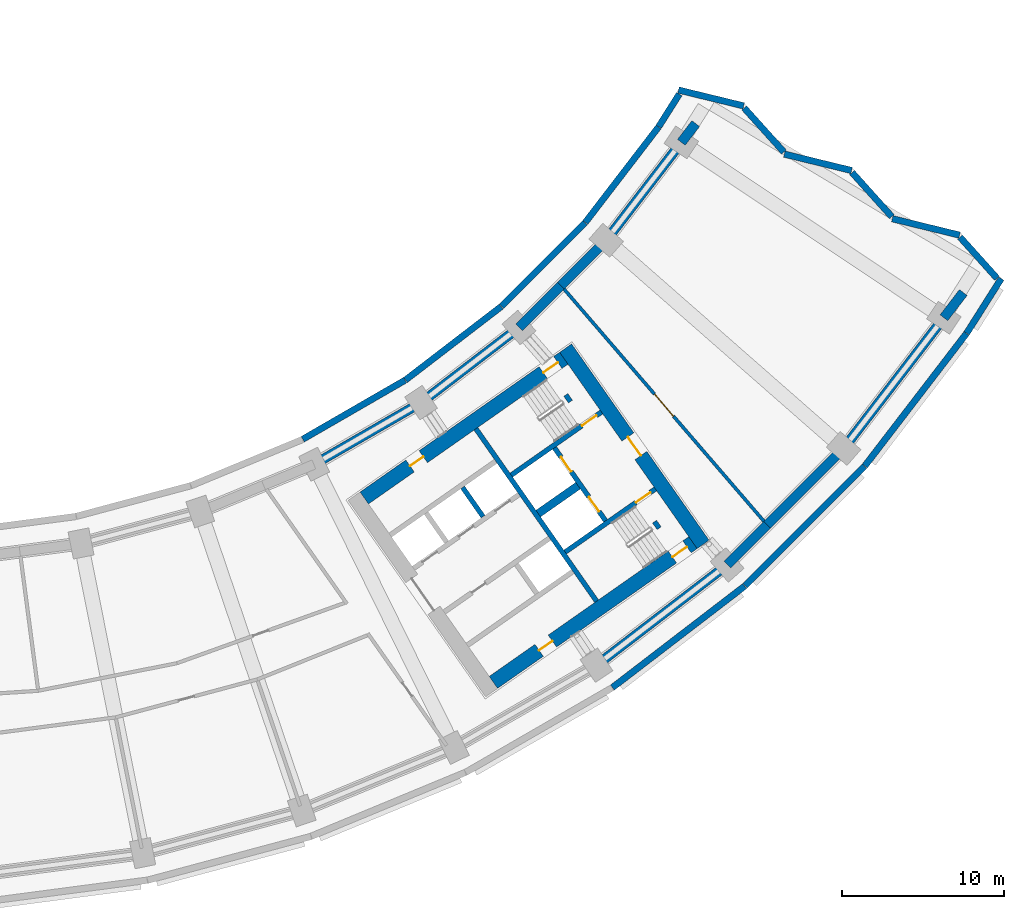
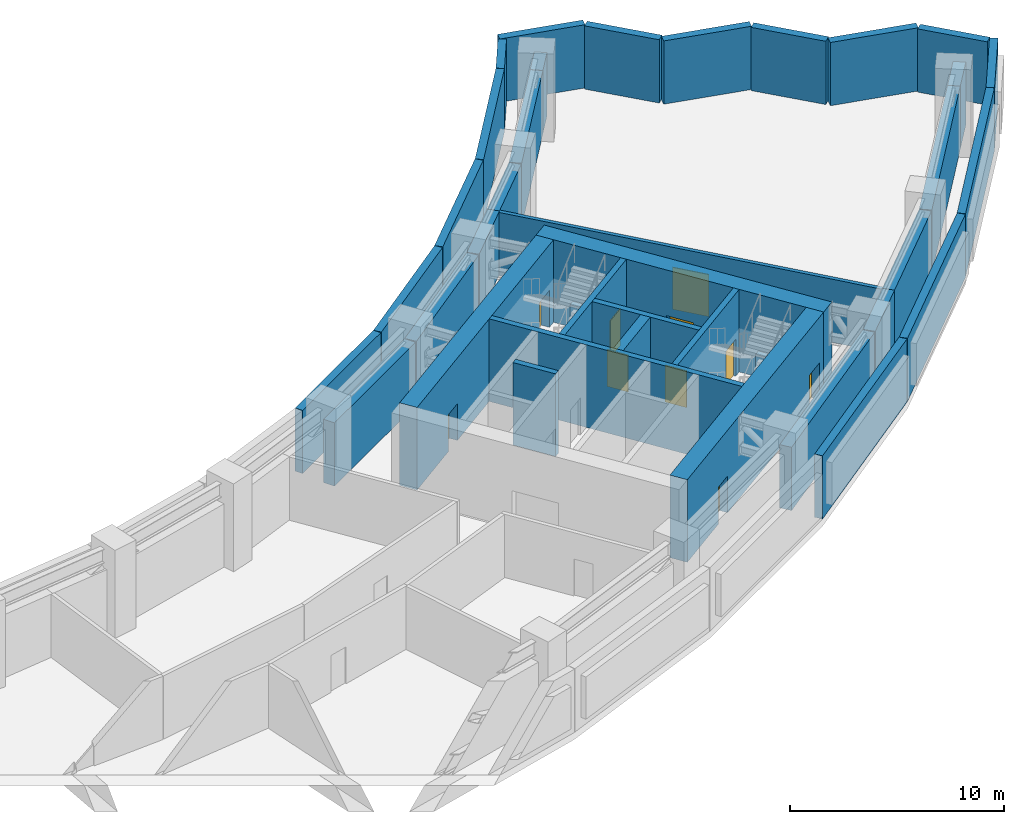
# One storey, part 8 of 25: 38 walls, 10 doors, 10 openings.
"""IFC4 building model written with IfcOpenShell, lengths in metres."""

from ifc_helpers import new_model, si_unit, direction, frame, frame_2d, origin, place, context, subcontext, project, spatial, rectangle, extrude, material, layer, layer_set, type_object, element, fill, save


model = new_model("IFC4")

# Units and contexts
model_context = context("Model", 3, precision=1e-05, world=origin(), true_north=direction((0.0, 1.0)))
body_context = subcontext(model_context, "Body", "Model", "MODEL_VIEW")
ifc_project = project(units=[si_unit("LENGTHUNIT", "METRE"), si_unit("AREAUNIT", "SQUARE_METRE"), si_unit("VOLUMEUNIT", "CUBIC_METRE"), si_unit("PLANEANGLEUNIT", "RADIAN"), si_unit("MASSUNIT", "GRAM", prefix="KILO")], contexts=[model_context])

# Site, building, storey
site_placement = place(None, origin())
site = spatial("IfcSite", under=ifc_project, at=site_placement, CompositionType="ELEMENT")
building_placement = place(site_placement, origin())
building = spatial("IfcBuilding", under=site, at=building_placement, Name="Qamariyya Broadcast Tower", CompositionType="ELEMENT")
storey_placement = place(building_placement, frame((0.0, 0.0, 89.89990234375)))
storey = spatial("IfcBuildingStorey", under=building, at=storey_placement, Name="L19", CompositionType="ELEMENT", Elevation=89.89990234375)

# Wall, opening, door
ifc_material_1 = material(Name="Concrete C70/85", Category="concrete")
ifc_layer_1 = layer(ifc_material_1, 0.89990234375)
ifc_layer_set_1 = layer_set([ifc_layer_1], Name="Core wall 900 mm Concrete C70/85")
wall_type_1 = type_object("IfcWallType", Name="Core wall 900 mm Concrete C70/85", PredefinedType="SHEAR", material=ifc_layer_set_1)
wall_1_placement = place(storey_placement, frame((49.778564453125, -57.191162109375, 0.0), z_axis=(0.0, 0.0, 1.0), x_axis=(-0.573577477574, 0.819151315216, 0.0)))
wall_1 = element("IfcWall", 1, at=wall_1_placement, inside=storey, type_object=wall_type_1, Name="k-E-L19-WH", PredefinedType="SHEAR", context=body_context, shape_type="SweptSolid", body=[
    extrude(rectangle(XDim=14.800048828125, YDim=0.89990234375, at=frame_2d((7.39990234375, 0.0))), origin(), (0.0, 0.0, 1.0), 4.7001953125),
])
opening_1_placement = place(wall_1_placement, frame((6.699951171875, 0.0, 0.0)))
opening_1 = element("IfcOpeningElement", 2, at=opening_1_placement, cuts=wall_1, Name="Opening KD2-E1", PredefinedType="OPENING", context=body_context, shape_type="SweptSolid", body=[
    extrude(rectangle(XDim=1.39990234375, YDim=2.10009765625, at=frame_2d((0.699951171875, 1.050048828125))), frame((0.0, 0.4599609375, 0.0), z_axis=(0.0, -1.0, 0.0), x_axis=(1.0, 0.0, 0.0)), (0.0, 0.0, 1.0), 0.919921875),
])
ifc_material_2 = material(Name="Steel fire-resisting door leaf", Category="steel")
door_type_1 = type_object("IfcDoorType", Name="Fire-fighting lobby door KD2", OperationType="DOUBLE_DOOR_SINGLE_SWING", PredefinedType="DOOR", material=ifc_material_2)
door_1_placement = place(opening_1_placement, origin())
door_1 = element("IfcDoor", 3, at=door_1_placement, inside=storey, type_object=door_type_1, Name="k-E-L19-WH-D10", OperationType="DOUBLE_DOOR_SINGLE_SWING", OverallHeight=2.10009765625, OverallWidth=1.39990234375, PredefinedType="DOOR", context=body_context, shape_type="SweptSolid", body=[
    extrude(rectangle(XDim=1.39990234375, YDim=2.10009765625, at=frame_2d((0.699951171875, 1.050048828125))), frame((0.0, 0.02490234375, 0.0), z_axis=(0.0, -1.0, 0.0), x_axis=(1.0, 0.0, 0.0)), (0.0, 0.0, 1.0), 0.050048828125),
])
fill(opening_1, door_1)

# Wall, openings, doors
wall_2_placement = place(storey_placement, frame((28.8544921875, -54.32421875, 0.0), z_axis=(0.0, 0.0, 1.0), x_axis=(0.819145767589, 0.573585400304, 0.0)))
wall_2 = element("IfcWall", 4, at=wall_2_placement, inside=storey, type_object=wall_type_1, Name="k-E-L19-WI", PredefinedType="SHEAR", context=body_context, shape_type="SweptSolid", body=[
    extrude(rectangle(XDim=15.04541015625, YDim=0.89990234375, at=frame_2d((7.522705078125, 0.0))), origin(), (0.0, 0.0, 1.0), 4.7001953125),
])
opening_2_placement = place(wall_2_placement, frame((3.449951171875, 0.0, 0.0)))
opening_2 = element("IfcOpeningElement", 5, at=opening_2_placement, cuts=wall_2, Name="Opening KD4-E2", PredefinedType="OPENING", context=body_context, shape_type="SweptSolid", body=[
    extrude(rectangle(XDim=1.0, YDim=2.10009765625, at=frame_2d((0.5, 1.050048828125))), frame((0.0, 0.4599609375, 0.0), z_axis=(0.0, -1.0, 0.0), x_axis=(1.0, 0.0, 0.0)), (0.0, 0.0, 1.0), 0.919921875),
])
opening_3_placement = place(wall_2_placement, frame((13.495361328125, 0.0, 0.0)))
opening_3 = element("IfcOpeningElement", 6, at=opening_3_placement, cuts=wall_2, Name="Opening KD1-E1", PredefinedType="OPENING", context=body_context, shape_type="SweptSolid", body=[
    extrude(rectangle(XDim=1.10009765625, YDim=2.10009765625, at=frame_2d((0.550048828125, 1.050048828125))), frame((0.0, 0.4599609375, 0.0), z_axis=(0.0, -1.0, 0.0), x_axis=(1.0, 0.0, 0.0)), (0.0, 0.0, 1.0), 0.919921875),
])
door_type_2 = type_object("IfcDoorType", Name="Riser and plant door KD4", OperationType="SINGLE_SWING_LEFT", PredefinedType="DOOR", material=ifc_material_2)
door_2_placement = place(opening_2_placement, origin())
door_2 = element("IfcDoor", 7, at=door_2_placement, inside=storey, type_object=door_type_2, Name="k-E-L19-WI-D6", OperationType="SINGLE_SWING_RIGHT", OverallHeight=2.10009765625, OverallWidth=1.0, PredefinedType="DOOR", context=body_context, shape_type="SweptSolid", body=[
    extrude(rectangle(XDim=1.0, YDim=2.10009765625, at=frame_2d((0.5, 1.050048828125))), frame((0.0, 0.02490234375, 0.0), z_axis=(0.0, -1.0, 0.0), x_axis=(1.0, 0.0, 0.0)), (0.0, 0.0, 1.0), 0.050048828125),
])
fill(opening_2, door_2)
door_type_3 = type_object("IfcDoorType", Name="Stair door KD1", OperationType="SINGLE_SWING_LEFT", PredefinedType="DOOR", material=ifc_material_2)
door_3_placement = place(opening_3_placement, origin())
door_3 = element("IfcDoor", 8, at=door_3_placement, inside=storey, type_object=door_type_3, Name="k-E-L19-WI-D11", OperationType="SINGLE_SWING_RIGHT", OverallHeight=2.10009765625, OverallWidth=1.10009765625, PredefinedType="DOOR", context=body_context, shape_type="SweptSolid", body=[
    extrude(rectangle(XDim=1.10009765625, YDim=2.10009765625, at=frame_2d((0.550048828125, 1.050048828125))), frame((0.0, 0.02490234375, 0.0), z_axis=(0.0, -1.0, 0.0), x_axis=(1.0, 0.0, 0.0)), (0.0, 0.0, 1.0), 0.050048828125),
])
fill(opening_3, door_3)

wall_3_placement = place(storey_placement, frame((36.827392578125, -65.710205078125, 0.0), z_axis=(0.0, 0.0, 1.0), x_axis=(0.819153391756, 0.573574511963, 0.0)))
wall_3 = element("IfcWall", 9, at=wall_3_placement, inside=storey, type_object=wall_type_1, Name="k-E-L19-WO", PredefinedType="SHEAR", context=body_context, shape_type="SweptSolid", body=[
    extrude(rectangle(XDim=15.04541015625, YDim=0.89990234375, at=frame_2d((7.522705078125, 0.0))), origin(), (0.0, 0.0, 1.0), 4.7001953125),
])
opening_4_placement = place(wall_3_placement, frame((3.449951171875, 0.0, 0.0)))
opening_4 = element("IfcOpeningElement", 10, at=opening_4_placement, cuts=wall_3, Name="Opening KD4-E3", PredefinedType="OPENING", context=body_context, shape_type="SweptSolid", body=[
    extrude(rectangle(XDim=1.0, YDim=2.10009765625, at=frame_2d((0.5, 1.050048828125))), frame((0.0, 0.4599609375, 0.0), z_axis=(0.0, -1.0, 0.0), x_axis=(1.0, 0.0, 0.0)), (0.0, 0.0, 1.0), 0.919921875),
])
opening_5_placement = place(wall_3_placement, frame((13.495361328125, 0.0, 0.0)))
opening_5 = element("IfcOpeningElement", 11, at=opening_5_placement, cuts=wall_3, Name="Opening KD1-E3", PredefinedType="OPENING", context=body_context, shape_type="SweptSolid", body=[
    extrude(rectangle(XDim=1.10009765625, YDim=2.10009765625, at=frame_2d((0.550048828125, 1.050048828125))), frame((0.0, 0.4599609375, 0.0), z_axis=(0.0, -1.0, 0.0), x_axis=(1.0, 0.0, 0.0)), (0.0, 0.0, 1.0), 0.919921875),
])
door_4_placement = place(opening_4_placement, origin())
door_4 = element("IfcDoor", 12, at=door_4_placement, inside=storey, type_object=door_type_2, Name="k-E-L19-WO-D7", OperationType="SINGLE_SWING_LEFT", OverallHeight=2.10009765625, OverallWidth=1.0, PredefinedType="DOOR", context=body_context, shape_type="SweptSolid", body=[
    extrude(rectangle(XDim=1.0, YDim=2.10009765625, at=frame_2d((0.5, 1.050048828125))), frame((0.0, 0.02490234375, 0.0), z_axis=(0.0, -1.0, 0.0), x_axis=(1.0, 0.0, 0.0)), (0.0, 0.0, 1.0), 0.050048828125),
])
fill(opening_4, door_4)
door_5_placement = place(opening_5_placement, origin())
door_5 = element("IfcDoor", 13, at=door_5_placement, inside=storey, type_object=door_type_3, Name="k-E-L19-WO-D13", OperationType="SINGLE_SWING_LEFT", OverallHeight=2.10009765625, OverallWidth=1.10009765625, PredefinedType="DOOR", context=body_context, shape_type="SweptSolid", body=[
    extrude(rectangle(XDim=1.10009765625, YDim=2.10009765625, at=frame_2d((0.550048828125, 1.050048828125))), frame((0.0, 0.02490234375, 0.0), z_axis=(0.0, -1.0, 0.0), x_axis=(1.0, 0.0, 0.0)), (0.0, 0.0, 1.0), 0.050048828125),
])
fill(opening_5, door_5)

# Walls
ifc_material_3 = material(Name="Concrete C60/75", Category="concrete")
ifc_layer_2 = layer(ifc_material_3, 0.5)
ifc_layer_set_2 = layer_set([ifc_layer_2], Name="Fire-fighting lobby divider wall 500 mm Concrete C60/75")
wall_type_2 = type_object("IfcWallType", Name="Fire-fighting lobby divider wall 500 mm Concrete C60/75", PredefinedType="SOLIDWALL", material=ifc_layer_set_2)
wall_4_placement = place(storey_placement, frame((39.59912109375, -55.28515625, 0.0), z_axis=(0.0, 0.0, 1.0), x_axis=(0.819136323161, 0.573598887793, 0.0)))
element("IfcWall", 14, at=wall_4_placement, inside=storey, type_object=wall_type_2, Name="k-E-L19-FD", PredefinedType="SOLIDWALL", context=body_context, shape_type="SweptSolid", body=[
    extrude(rectangle(XDim=2.999755859375, YDim=0.5, at=frame_2d((1.5, 0.0))), origin(), (0.0, 0.0, 1.0), 4.7001953125),
])
ifc_layer_3 = layer(ifc_material_3, 0.300048828125)
ifc_layer_set_3 = layer_set([ifc_layer_3], Name="Lift shaft wall 300 mm Concrete C60/75")
wall_type_3 = type_object("IfcWallType", Name="Lift shaft wall 300 mm Concrete C60/75", PredefinedType="SOLIDWALL", material=ifc_layer_set_3)
wall_5_placement = place(storey_placement, frame((43.204345703125, -60.69580078125, 0.0), z_axis=(0.0, 0.0, 1.0), x_axis=(-0.573571992966, 0.819155155563, 0.0)))
element("IfcWall", 15, at=wall_5_placement, inside=storey, type_object=wall_type_3, Name="k-E-L19-WL", PredefinedType="SOLIDWALL", context=body_context, shape_type="SweptSolid", body=[
    extrude(rectangle(XDim=13.000244140625, YDim=0.300048828125, at=frame_2d((6.5, 0.0))), origin(), (0.0, 0.0, 1.0), 4.7001953125),
])
wall_6_placement = place(storey_placement, frame((36.19091796875, -55.47412109375, 0.0), z_axis=(0.0, 0.0, 1.0), x_axis=(-0.573507030513, 0.819200638399, 0.0)))
element("IfcWall", 16, at=wall_6_placement, inside=storey, type_object=wall_type_3, Name="k-E-L19-ND1", PredefinedType="SOLIDWALL", context=body_context, shape_type="SweptSolid", body=[
    extrude(rectangle(XDim=2.199951171875, YDim=0.300048828125, at=frame_2d((1.10009765625, 0.0))), origin(), (0.0, 0.0, 1.0), 4.7001953125),
])

# Wall, opening, door
wall_7_placement = place(storey_placement, frame((37.935546875, -52.90966796875, 0.0), z_axis=(0.0, 0.0, 1.0), x_axis=(0.819147518138, 0.57358290031, 0.0)))
wall_7 = element("IfcWall", 17, at=wall_7_placement, inside=storey, type_object=wall_type_3, Name="k-E-L19-NW", PredefinedType="SOLIDWALL", context=body_context, shape_type="SweptSolid", body=[
    extrude(rectangle(XDim=6.79541015625, YDim=0.300048828125, at=frame_2d((3.397705078125, 0.0))), origin(), (0.0, 0.0, 1.0), 4.7001953125),
])
opening_6_placement = place(wall_7_placement, frame((5.3203125, 0.0, 0.0)))
opening_6 = element("IfcOpeningElement", 18, at=opening_6_placement, cuts=wall_7, Name="Opening KD1-E2", PredefinedType="OPENING", context=body_context, shape_type="SweptSolid", body=[
    extrude(rectangle(XDim=1.10009765625, YDim=2.10009765625, at=frame_2d((0.550048828125, 1.050048828125))), frame((0.0, 0.159912109375, 0.0), z_axis=(0.0, -1.0, 0.0), x_axis=(1.0, 0.0, 0.0)), (0.0, 0.0, 1.0), 0.320068359375),
])
door_6_placement = place(opening_6_placement, origin())
door_6 = element("IfcDoor", 19, at=door_6_placement, inside=storey, type_object=door_type_3, Name="k-E-L19-NW-D12", OperationType="SINGLE_SWING_RIGHT", OverallHeight=2.10009765625, OverallWidth=1.10009765625, PredefinedType="DOOR", context=body_context, shape_type="SweptSolid", body=[
    extrude(rectangle(XDim=1.10009765625, YDim=2.10009765625, at=frame_2d((0.550048828125, 1.050048828125))), frame((0.0, 0.02490234375, 0.0), z_axis=(0.0, -1.0, 0.0), x_axis=(1.0, 0.0, 0.0)), (0.0, 0.0, 1.0), 0.050048828125),
])
fill(opening_6, door_6)

wall_8_placement = place(storey_placement, frame((41.262451171875, -57.66064453125, 0.0), z_axis=(0.0, 0.0, 1.0), x_axis=(0.819164398642, 0.573558792102, 0.0)))
wall_8 = element("IfcWall", 20, at=wall_8_placement, inside=storey, type_object=wall_type_3, Name="k-E-L19-SW", PredefinedType="SOLIDWALL", context=body_context, shape_type="SweptSolid", body=[
    extrude(rectangle(XDim=6.795166015625, YDim=0.300048828125, at=frame_2d((3.3974609375, 0.0))), origin(), (0.0, 0.0, 1.0), 4.7001953125),
])
opening_7_placement = place(wall_8_placement, frame((5.3203125, 0.0, 0.0)))
opening_7 = element("IfcOpeningElement", 21, at=opening_7_placement, cuts=wall_8, Name="Opening KD1-E4", PredefinedType="OPENING", context=body_context, shape_type="SweptSolid", body=[
    extrude(rectangle(XDim=1.10009765625, YDim=2.10009765625, at=frame_2d((0.550048828125, 1.050048828125))), frame((0.0, 0.159912109375, 0.0), z_axis=(0.0, -1.0, 0.0), x_axis=(1.0, 0.0, 0.0)), (0.0, 0.0, 1.0), 0.320068359375),
])
door_7_placement = place(opening_7_placement, origin())
door_7 = element("IfcDoor", 22, at=door_7_placement, inside=storey, type_object=door_type_3, Name="k-E-L19-SW-D14", OperationType="SINGLE_SWING_RIGHT", OverallHeight=2.10009765625, OverallWidth=1.10009765625, PredefinedType="DOOR", context=body_context, shape_type="SweptSolid", body=[
    extrude(rectangle(XDim=1.10009765625, YDim=2.10009765625, at=frame_2d((0.550048828125, 1.050048828125))), frame((0.0, 0.02490234375, 0.0), z_axis=(0.0, -1.0, 0.0), x_axis=(1.0, 0.0, 0.0)), (0.0, 0.0, 1.0), 0.050048828125),
])
fill(opening_7, door_7)

# Wall, openings, doors
wall_9_placement = place(storey_placement, frame((43.756591796875, -55.731201171875, 0.0), z_axis=(0.0, 0.0, 1.0), x_axis=(-0.573536818435, 0.819179783625, 0.0)))
wall_9 = element("IfcWall", 23, at=wall_9_placement, inside=storey, type_object=wall_type_3, Name="k-E-L19-FF", PredefinedType="SOLIDWALL", context=body_context, shape_type="SweptSolid", body=[
    extrude(rectangle(XDim=5.500244140625, YDim=0.300048828125, at=frame_2d((2.75, 0.0))), origin(), (0.0, 0.0, 1.0), 4.7001953125),
])
opening_8_placement = place(wall_9_placement, frame((0.699951171875, 0.0, 0.0)))
opening_8 = element("IfcOpeningElement", 24, at=opening_8_placement, cuts=wall_9, Name="Opening LD", PredefinedType="OPENING", context=body_context, shape_type="SweptSolid", body=[
    extrude(rectangle(XDim=1.10009765625, YDim=2.10009765625, at=frame_2d((0.550048828125, 1.050048828125))), frame((0.0, 0.159912109375, 0.0), z_axis=(0.0, -1.0, 0.0), x_axis=(1.0, 0.0, 0.0)), (0.0, 0.0, 1.0), 0.320068359375),
])
opening_9_placement = place(wall_9_placement, frame((3.699951171875, 0.0, 0.0)))
opening_9 = element("IfcOpeningElement", 25, at=opening_9_placement, cuts=wall_9, Name="Opening LD", PredefinedType="OPENING", context=body_context, shape_type="SweptSolid", body=[
    extrude(rectangle(XDim=1.10009765625, YDim=2.10009765625, at=frame_2d((0.550048828125, 1.050048828125))), frame((0.0, 0.159912109375, 0.0), z_axis=(0.0, -1.0, 0.0), x_axis=(1.0, 0.0, 0.0)), (0.0, 0.0, 1.0), 0.320068359375),
])
door_type_4 = type_object("IfcDoorType", Name="Lift landing door LD", OperationType="DOUBLE_DOOR_SLIDING", PredefinedType="DOOR", material=ifc_material_2)
door_8_placement = place(opening_8_placement, origin())
door_8 = element("IfcDoor", 26, at=door_8_placement, inside=storey, type_object=door_type_4, Name="k-E-L19-FF-D8", OperationType="DOUBLE_DOOR_SLIDING", OverallHeight=2.10009765625, OverallWidth=1.10009765625, PredefinedType="DOOR", context=body_context, shape_type="SweptSolid", body=[
    extrude(rectangle(XDim=1.10009765625, YDim=2.10009765625, at=frame_2d((0.550048828125, 1.050048828125))), frame((0.0, 0.02490234375, 0.0), z_axis=(0.0, -1.0, 0.0), x_axis=(1.0, 0.0, 0.0)), (0.0, 0.0, 1.0), 0.050048828125),
])
fill(opening_8, door_8)
door_9_placement = place(opening_9_placement, origin())
door_9 = element("IfcDoor", 27, at=door_9_placement, inside=storey, type_object=door_type_4, Name="k-E-L19-FF-D9", OperationType="DOUBLE_DOOR_SLIDING", OverallHeight=2.10009765625, OverallWidth=1.10009765625, PredefinedType="DOOR", context=body_context, shape_type="SweptSolid", body=[
    extrude(rectangle(XDim=1.10009765625, YDim=2.10009765625, at=frame_2d((0.550048828125, 1.050048828125))), frame((0.0, 0.02490234375, 0.0), z_axis=(0.0, -1.0, 0.0), x_axis=(1.0, 0.0, 0.0)), (0.0, 0.0, 1.0), 0.050048828125),
])
fill(opening_9, door_9)

# Walls
wall_10_placement = place(storey_placement, frame((41.30029296875, -47.959716796875, 0.0), z_axis=(0.0, 0.0, 1.0), x_axis=(0.573495128918, -0.819208970354, 0.0)))
element("IfcWall", 28, at=wall_10_placement, inside=storey, type_object=wall_type_3, Name="k-E-L19-E2PR", PredefinedType="SOLIDWALL", context=body_context, shape_type="SweptSolid", body=[
    extrude(rectangle(XDim=0.499755859375, YDim=0.300048828125, at=frame_2d((0.25, 0.0))), origin(), (0.0, 0.0, 1.0), 2.300048828125),
])
wall_11_placement = place(storey_placement, frame((46.77783203125, -55.782470703125, 0.0), z_axis=(0.0, 0.0, 1.0), x_axis=(0.573822822947, -0.818979467304, 0.0)))
element("IfcWall", 29, at=wall_11_placement, inside=storey, type_object=wall_type_3, Name="k-E-L19-E1PR", PredefinedType="SOLIDWALL", context=body_context, shape_type="SweptSolid", body=[
    extrude(rectangle(XDim=0.5, YDim=0.300048828125, at=frame_2d((0.25, 0.0))), origin(), (0.0, 0.0, 1.0), 2.300048828125),
])

# Wall, opening, door
ifc_material_4 = material(Name="Masonry block wall", Category="masonry")
ifc_layer_4 = layer(ifc_material_4, 0.199951171875)
ifc_layer_set_4 = layer_set([ifc_layer_4], Name="Plant room wall 200 EI 120")
wall_type_4 = type_object("IfcWallType", Name="Plant room wall 200 EI 120", PredefinedType="PARTITIONING", material=ifc_layer_set_4)
wall_12_placement = place(storey_placement, frame((41.1962890625, -41.42822265625, 0.0), z_axis=(0.0, 0.0, 1.0), x_axis=(0.652481130337, -0.757804971318, 0.0)))
wall_12 = element("IfcWall", 30, at=wall_12_placement, inside=storey, type_object=wall_type_4, Name="Partition L19-064", PredefinedType="PARTITIONING", context=body_context, shape_type="SweptSolid", body=[
    extrude(rectangle(XDim=18.91259765625, YDim=0.199951171875, at=frame_2d((9.456298828125, 0.0))), origin(), (0.0, 0.0, 1.0), 3.60009765625),
])
opening_10_placement = place(wall_12_placement, frame((8.55615234375, 0.0, 0.0)))
opening_10 = element("IfcOpeningElement", 31, at=opening_10_placement, cuts=wall_12, Name="Opening L19-D12", PredefinedType="OPENING", context=body_context, shape_type="SweptSolid", body=[
    extrude(rectangle(XDim=1.800048828125, YDim=2.39990234375, at=frame_2d((0.89990234375, 1.199951171875))), frame((0.0, 0.10986328125, 0.0), z_axis=(0.0, -1.0, 0.0), x_axis=(1.0, 0.0, 0.0)), (0.0, 0.0, 1.0), 0.219970703125),
])
ifc_material_5 = material(Name="Insulated metal door leaf")
door_type_5 = type_object("IfcDoorType", Name="Plant double door 1800 x 2400 FD120", OperationType="NOTDEFINED", PredefinedType="DOOR", material=ifc_material_5)
door_10_placement = place(opening_10_placement, origin())
door_10 = element("IfcDoor", 32, at=door_10_placement, inside=storey, type_object=door_type_5, Name="Door L19-D12", OperationType="DOUBLE_DOOR_SINGLE_SWING", OverallHeight=2.39990234375, OverallWidth=1.800048828125, PredefinedType="DOOR", context=body_context, shape_type="SweptSolid", body=[
    extrude(rectangle(XDim=1.800048828125, YDim=2.39990234375, at=frame_2d((0.89990234375, 1.199951171875))), frame((0.0, 0.02490234375, 0.0), z_axis=(0.0, -1.0, 0.0), x_axis=(1.0, 0.0, 0.0)), (0.0, 0.0, 1.0), 0.050048828125),
])
fill(opening_10, door_10)

# Walls
ifc_material_6 = material(Name="Terracotta", Category="masonry")
ifc_layer_5 = layer(ifc_material_6, 0.39990234375)
ifc_layer_set_5 = layer_set([ifc_layer_5], Name="Terracotta clad plant wall 400")
wall_type_5 = type_object("IfcWallType", Name="Terracotta clad plant wall 400", PredefinedType="SOLIDWALL", material=ifc_layer_set_5)
wall_13_placement = place(storey_placement, frame((67.927001953125, -40.751708984375, 0.0), z_axis=(0.0, 0.0, 1.0), x_axis=(-0.668632717238, 0.743592825032, 0.0)))
element("IfcWall", 33, at=wall_13_placement, inside=storey, type_object=wall_type_5, Name="e-wl-L19-capE0", PredefinedType="SOLIDWALL", context=body_context, shape_type="SweptSolid", body=[
    extrude(rectangle(XDim=3.413330078125, YDim=0.39990234375, at=frame_2d((1.70654296875, 0.0))), origin(), (0.0, 0.0, 1.0), 3.60009765625),
])
wall_14_placement = place(storey_placement, frame((65.61572265625, -38.08837890625, 0.0), z_axis=(0.0, 0.0, 1.0), x_axis=(-0.971569694649, 0.236753729518, 0.0)))
element("IfcWall", 34, at=wall_14_placement, inside=storey, type_object=wall_type_5, Name="e-wl-L19-capE1", PredefinedType="SOLIDWALL", context=body_context, shape_type="SweptSolid", body=[
    extrude(rectangle(XDim=4.275390625, YDim=0.39990234375, at=frame_2d((2.1376953125, 0.0))), origin(), (0.0, 0.0, 1.0), 3.60009765625),
])
wall_15_placement = place(storey_placement, frame((61.4326171875, -36.950927734375, 0.0), z_axis=(0.0, 0.0, 1.0), x_axis=(-0.66870725962, 0.74352579036, 0.0)))
element("IfcWall", 35, at=wall_15_placement, inside=storey, type_object=wall_type_5, Name="e-wl-L19-capE2", PredefinedType="SOLIDWALL", context=body_context, shape_type="SweptSolid", body=[
    extrude(rectangle(XDim=3.667724609375, YDim=0.39990234375, at=frame_2d((1.833984375, 0.0))), origin(), (0.0, 0.0, 1.0), 3.60009765625),
])
wall_16_placement = place(storey_placement, frame((58.950927734375, -34.0986328125, 0.0), z_axis=(0.0, 0.0, 1.0), x_axis=(-0.97158316365, 0.236698449745, 0.0)))
element("IfcWall", 36, at=wall_16_placement, inside=storey, type_object=wall_type_5, Name="e-wl-L19-capE3", PredefinedType="SOLIDWALL", context=body_context, shape_type="SweptSolid", body=[
    extrude(rectangle(XDim=4.2744140625, YDim=0.39990234375, at=frame_2d((2.13720703125, 0.0))), origin(), (0.0, 0.0, 1.0), 3.60009765625),
])
wall_17_placement = place(storey_placement, frame((54.768798828125, -32.961669921875, 0.0), z_axis=(0.0, 0.0, 1.0), x_axis=(-0.668791930539, 0.743449630874, 0.0)))
element("IfcWall", 37, at=wall_17_placement, inside=storey, type_object=wall_type_5, Name="e-wl-L19-capE4", PredefinedType="SOLIDWALL", context=body_context, shape_type="SweptSolid", body=[
    extrude(rectangle(XDim=3.669189453125, YDim=0.39990234375, at=frame_2d((1.83447265625, 0.0))), origin(), (0.0, 0.0, 1.0), 3.60009765625),
])
wall_18_placement = place(storey_placement, frame((52.285888671875, -30.108642578125, 0.0), z_axis=(0.0, 0.0, 1.0), x_axis=(-0.971599606195, 0.236630947347, 0.0)))
element("IfcWall", 38, at=wall_18_placement, inside=storey, type_object=wall_type_5, Name="e-wl-L19-capE5", PredefinedType="SOLIDWALL", context=body_context, shape_type="SweptSolid", body=[
    extrude(rectangle(XDim=4.1474609375, YDim=0.39990234375, at=frame_2d((2.07373046875, 0.0))), origin(), (0.0, 0.0, 1.0), 3.60009765625),
])
wall_19_placement = place(storey_placement, frame((31.373779296875, -47.04541015625, 0.0), z_axis=(0.0, 0.0, 1.0), x_axis=(-0.866028991865, -0.49999378521, 0.0)))
element("IfcWall", 39, at=wall_19_placement, inside=storey, type_object=wall_type_5, Name="e-wl-L19-in120", PredefinedType="SOLIDWALL", context=body_context, shape_type="SweptSolid", body=[
    extrude(rectangle(XDim=7.29541015625, YDim=0.39990234375, at=frame_2d((3.647705078125, 0.0))), origin(), (0.0, 0.0, 1.0), 3.60009765625),
])
wall_20_placement = place(storey_placement, frame((37.30615234375, -42.501708984375, 0.0), z_axis=(0.0, 0.0, 1.0), x_axis=(-0.793358297773, -0.608754968238, 0.0)))
element("IfcWall", 40, at=wall_20_placement, inside=storey, type_object=wall_type_5, Name="e-wl-L19-in130", PredefinedType="SOLIDWALL", context=body_context, shape_type="SweptSolid", body=[
    extrude(rectangle(XDim=7.447021484375, YDim=0.39990234375, at=frame_2d((3.7236328125, 0.0))), origin(), (0.0, 0.0, 1.0), 3.60009765625),
])
wall_21_placement = place(storey_placement, frame((42.48095703125, -37.322265625, 0.0), z_axis=(0.0, 0.0, 1.0), x_axis=(-0.707106781187, -0.707106781187, 0.0)))
element("IfcWall", 41, at=wall_21_placement, inside=storey, type_object=wall_type_5, Name="e-wl-L19-in140", PredefinedType="SOLIDWALL", context=body_context, shape_type="SweptSolid", body=[
    extrude(rectangle(XDim=7.29541015625, YDim=0.39990234375, at=frame_2d((3.647705078125, 0.0))), origin(), (0.0, 0.0, 1.0), 3.60009765625),
])
wall_22_placement = place(storey_placement, frame((47.029541015625, -31.405029296875, 0.0), z_axis=(0.0, 0.0, 1.0), x_axis=(-0.60873951703, -0.793370153463, 0.0)))
element("IfcWall", 42, at=wall_22_placement, inside=storey, type_object=wall_type_5, Name="e-wl-L19-in150", PredefinedType="SOLIDWALL", context=body_context, shape_type="SweptSolid", body=[
    extrude(rectangle(XDim=7.43798828125, YDim=0.39990234375, at=frame_2d((3.718994140625, 0.0))), origin(), (0.0, 0.0, 1.0), 3.60009765625),
])
wall_23_placement = place(storey_placement, frame((48.306884765625, -29.383544921875, 0.0), z_axis=(0.0, 0.0, 1.0), x_axis=(-0.534817117293, -0.844967840246, 0.0)))
element("IfcWall", 43, at=wall_23_placement, inside=storey, type_object=wall_type_5, Name="e-wl-L19-in160", PredefinedType="SOLIDWALL", context=body_context, shape_type="SweptSolid", body=[
    extrude(rectangle(XDim=2.373291015625, YDim=0.39990234375, at=frame_2d((1.1865234375, 0.0))), origin(), (0.0, 0.0, 1.0), 3.60009765625),
])
wall_24_placement = place(storey_placement, frame((44.18017578125, -66.029052734375, 0.0), z_axis=(0.0, 0.0, 1.0), x_axis=(0.793343965595, 0.608773646157, 0.0)))
element("IfcWall", 44, at=wall_24_placement, inside=storey, type_object=wall_type_5, Name="e-wl-L19-out130", PredefinedType="SOLIDWALL", context=body_context, shape_type="SweptSolid", body=[
    extrude(rectangle(XDim=10.291015625, YDim=0.39990234375, at=frame_2d((5.1455078125, 0.0))), origin(), (0.0, 0.0, 1.0), 3.60009765625),
])
wall_25_placement = place(storey_placement, frame((52.366943359375, -59.7509765625, 0.0), z_axis=(0.0, 0.0, 1.0), x_axis=(0.707106781187, 0.707106781187, 0.0)))
element("IfcWall", 45, at=wall_25_placement, inside=storey, type_object=wall_type_5, Name="e-wl-L19-out140", PredefinedType="SOLIDWALL", context=body_context, shape_type="SweptSolid", body=[
    extrude(rectangle(XDim=10.442626953125, YDim=0.39990234375, at=frame_2d((5.22119140625, 0.0))), origin(), (0.0, 0.0, 1.0), 3.60009765625),
])
wall_26_placement = place(storey_placement, frame((59.76416015625, -52.344482421875, 0.0), z_axis=(0.0, 0.0, 1.0), x_axis=(0.608759161383, 0.793355080296, 0.0)))
element("IfcWall", 46, at=wall_26_placement, inside=storey, type_object=wall_type_5, Name="e-wl-L19-out150", PredefinedType="SOLIDWALL", context=body_context, shape_type="SweptSolid", body=[
    extrude(rectangle(XDim=10.30810546875, YDim=0.39990234375, at=frame_2d((5.154052734375, 0.0))), origin(), (0.0, 0.0, 1.0), 3.60009765625),
])
wall_27_placement = place(storey_placement, frame((66.0517578125, -44.153564453125, 0.0), z_axis=(0.0, 0.0, 1.0), x_axis=(0.534745755468, 0.845013004047, 0.0)))
element("IfcWall", 47, at=wall_27_placement, inside=storey, type_object=wall_type_5, Name="e-wl-L19-out160", PredefinedType="SOLIDWALL", context=body_context, shape_type="SweptSolid", body=[
    extrude(rectangle(XDim=4.001220703125, YDim=0.39990234375, at=frame_2d((2.00048828125, 0.0))), origin(), (0.0, 0.0, 1.0), 3.60009765625),
])
ifc_layer_6 = layer(ifc_material_4, 0.60009765625)
ifc_layer_set_6 = layer_set([ifc_layer_6], Name="Truss casing wall 600 EI 120")
wall_type_6 = type_object("IfcWallType", Name="Truss casing wall 600 EI 120", PredefinedType="PARTITIONING", material=ifc_layer_set_6)
for number, where, z_axis, x_axis, name in (
    (48, (25.782958984375, -52.2314453125, 0.0), (0.0, 0.0, 1.0), (0.866020793316, 0.500007985481, 0.0), "Partition L19-058"),
    (49, (32.3798828125, -48.419189453125, 0.0), (0.0, 0.0, 1.0), (0.793356751967, 0.6087569828, 0.0), "Partition L19-060"),
):
    element("IfcWall", number, at=place(storey_placement, frame(where, z_axis=z_axis, x_axis=x_axis)), inside=storey, type_object=wall_type_6, Name=name, PredefinedType="PARTITIONING", context=body_context, shape_type="SweptSolid", body=[
        extrude(rectangle(XDim=7.57421875, YDim=0.60009765625, at=frame_2d((3.787109375, 0.0))), origin(), (0.0, 0.0, 1.0), 3.60009765625),
    ])
wall_28_placement = place(storey_placement, frame((38.4228515625, -43.778564453125, 0.0), z_axis=(0.0, 0.0, 1.0), x_axis=(0.707140265585, 0.707073295203, 0.0)))
element("IfcWall", 50, at=wall_28_placement, inside=storey, type_object=wall_type_6, Name="Partition L19-062", PredefinedType="PARTITIONING", context=body_context, shape_type="SweptSolid", body=[
    extrude(rectangle(XDim=3.6455078125, YDim=0.60009765625, at=frame_2d((1.82275390625, 0.0))), origin(), (0.0, 0.0, 1.0), 3.60009765625),
])
wall_29_placement = place(storey_placement, frame((41.000732421875, -41.200927734375, 0.0), z_axis=(0.0, 0.0, 1.0), x_axis=(0.707075708448, 0.70713785256, 0.0)))
element("IfcWall", 51, at=wall_29_placement, inside=storey, type_object=wall_type_6, Name="Partition L19-063", PredefinedType="PARTITIONING", context=body_context, shape_type="SweptSolid", body=[
    extrude(rectangle(XDim=3.9287109375, YDim=0.60009765625, at=frame_2d((1.96435546875, 0.0))), origin(), (0.0, 0.0, 1.0), 3.60009765625),
])
wall_30_placement = place(storey_placement, frame((43.213623046875, -64.633056640625, 0.0), z_axis=(0.0, 0.0, 1.0), x_axis=(0.793339659144, 0.608779258212, 0.0)))
element("IfcWall", 52, at=wall_30_placement, inside=storey, type_object=wall_type_6, Name="Partition L19-065", PredefinedType="PARTITIONING", context=body_context, shape_type="SweptSolid", body=[
    extrude(rectangle(XDim=10.125, YDim=0.60009765625, at=frame_2d((5.0625, 0.0))), origin(), (0.0, 0.0, 1.0), 3.60009765625),
])
wall_31_placement = place(storey_placement, frame((43.808349609375, -38.388916015625, 0.0), z_axis=(0.0, 0.0, 1.0), x_axis=(0.608775025132, 0.793342907434, 0.0)))
element("IfcWall", 53, at=wall_31_placement, inside=storey, type_object=wall_type_6, Name="Partition L19-066", PredefinedType="PARTITIONING", context=body_context, shape_type="SweptSolid", body=[
    extrude(rectangle(XDim=7.593994140625, YDim=0.60009765625, at=frame_2d((3.796875, 0.0))), origin(), (0.0, 0.0, 1.0), 3.60009765625),
])
wall_32_placement = place(storey_placement, frame((48.434814453125, -32.359619140625, 0.0), z_axis=(0.0, 0.0, 1.0), x_axis=(0.608747741754, 0.793363842704, 0.0)))
element("IfcWall", 54, at=wall_32_placement, inside=storey, type_object=wall_type_6, Name="Partition L19-067", PredefinedType="PARTITIONING", context=body_context, shape_type="SweptSolid", body=[
    extrude(rectangle(XDim=1.458740234375, YDim=0.60009765625, at=frame_2d((0.7294921875, 0.0))), origin(), (0.0, 0.0, 1.0), 3.60009765625),
])
wall_33_placement = place(storey_placement, frame((51.2802734375, -58.439453125, 0.0), z_axis=(0.0, 0.0, 1.0), x_axis=(0.707106781187, 0.707106781187, 0.0)))
element("IfcWall", 55, at=wall_33_placement, inside=storey, type_object=wall_type_6, Name="Partition L19-068", PredefinedType="PARTITIONING", context=body_context, shape_type="SweptSolid", body=[
    extrude(rectangle(XDim=3.467529296875, YDim=0.60009765625, at=frame_2d((1.73388671875, 0.0))), origin(), (0.0, 0.0, 1.0), 3.60009765625),
])
wall_34_placement = place(storey_placement, frame((53.732177734375, -55.987548828125, 0.0), z_axis=(0.0, 0.0, 1.0), x_axis=(0.707106781187, 0.707106781187, 0.0)))
element("IfcWall", 56, at=wall_34_placement, inside=storey, type_object=wall_type_6, Name="Partition L19-069", PredefinedType="PARTITIONING", context=body_context, shape_type="SweptSolid", body=[
    extrude(rectangle(XDim=6.656982421875, YDim=0.60009765625, at=frame_2d((3.32861328125, 0.0))), origin(), (0.0, 0.0, 1.0), 3.60009765625),
])
wall_35_placement = place(storey_placement, frame((58.46923828125, -51.24609375, 0.0), z_axis=(0.0, 0.0, 1.0), x_axis=(0.608777573681, 0.793340951787, 0.0)))
element("IfcWall", 57, at=wall_35_placement, inside=storey, type_object=wall_type_6, Name="Partition L19-070", PredefinedType="PARTITIONING", context=body_context, shape_type="SweptSolid", body=[
    extrude(rectangle(XDim=10.14453125, YDim=0.60009765625, at=frame_2d((5.072265625, 0.0))), origin(), (0.0, 0.0, 1.0), 3.60009765625),
])
wall_36_placement = place(storey_placement, frame((64.648681640625, -43.193115234375, 0.0), z_axis=(0.0, 0.0, 1.0), x_axis=(0.608744279495, 0.793366499281, 0.0)))
element("IfcWall", 58, at=wall_36_placement, inside=storey, type_object=wall_type_6, Name="Partition L19-071", PredefinedType="PARTITIONING", context=body_context, shape_type="SweptSolid", body=[
    extrude(rectangle(XDim=1.96630859375, YDim=0.60009765625, at=frame_2d((0.983154296875, 0.0))), origin(), (0.0, 0.0, 1.0), 3.60009765625),
])

save(model, "model.ifc")
